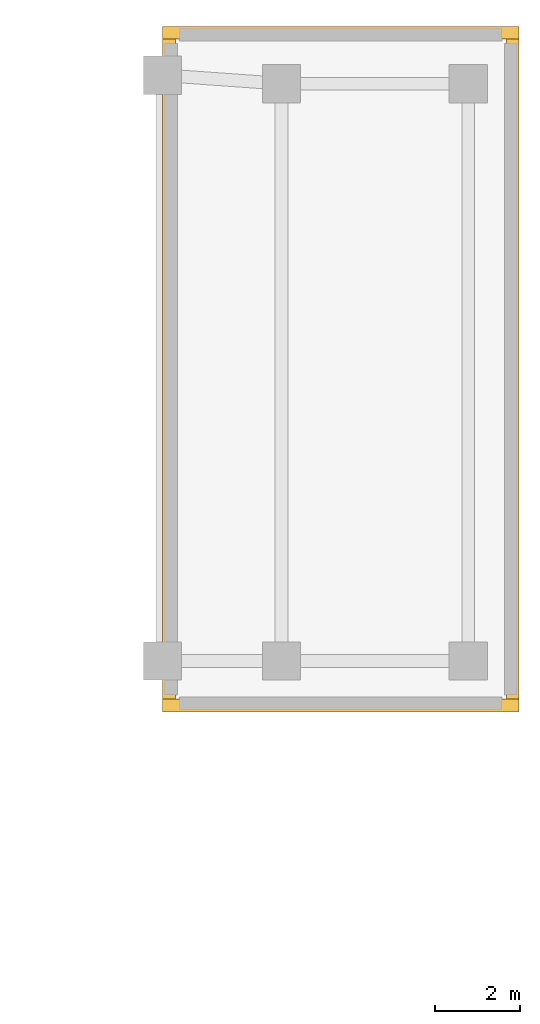
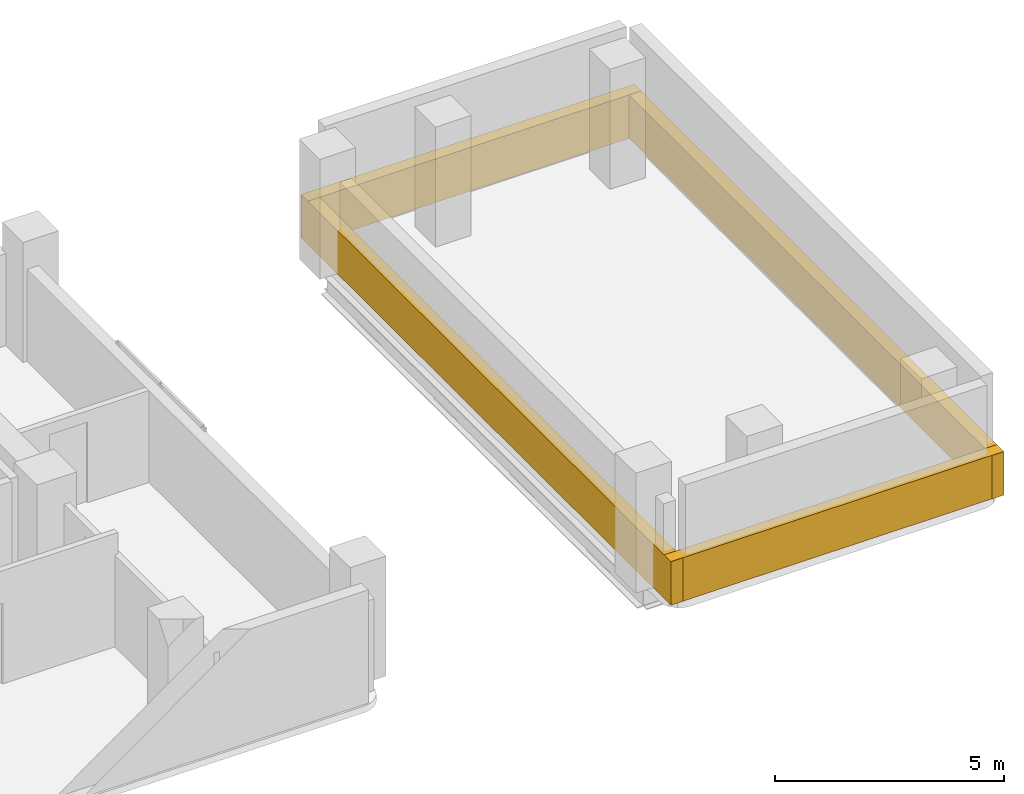
# One storey, part 10 of 10: 4 coverings.
"""IFC4 building model written with IfcOpenShell, lengths in metres."""

from ifc_helpers import new_model, si_unit, direction, frame, origin, origin_2d, place, context, subcontext, project, spatial, rectangle, extrude, material, layer, layer_set, type_object, element, save


model = new_model("IFC4")

# Units and contexts
model_context = context("Model", 3, precision=1e-05, world=origin(), true_north=direction((0.0, 1.0)))
body_context = subcontext(model_context, "Body", "Model", "MODEL_VIEW")
ifc_project = project(units=[si_unit("LENGTHUNIT", "METRE"), si_unit("AREAUNIT", "SQUARE_METRE"), si_unit("VOLUMEUNIT", "CUBIC_METRE"), si_unit("PLANEANGLEUNIT", "RADIAN"), si_unit("MASSUNIT", "GRAM", prefix="KILO")], contexts=[model_context])

# Site, building, storey
site_placement = place(None, origin())
site = spatial("IfcSite", under=ifc_project, at=site_placement, CompositionType="ELEMENT")
building_placement = place(site_placement, origin())
building = spatial("IfcBuilding", under=site, at=building_placement, Name="Kuzgunbayir Cultural Tower", CompositionType="ELEMENT")
storey_placement = place(building_placement, frame((0.0, 0.0, 163.199951171875)))
storey = spatial("IfcBuildingStorey", under=building, at=storey_placement, Name="L47", CompositionType="ELEMENT", Elevation=163.199951171875)

# Coverings
ifc_material = material(Name="Anatolian Cream Limestone", Category="masonry")
ifc_layer = layer(ifc_material, 0.06005859375)
ifc_layer_set = layer_set([ifc_layer], Name="Anatolian Cream Limestone")
covering_type = type_object("IfcCoveringType", Name="COV-CLAD-LIMESTONE-6", PredefinedType="CLADDING", material=ifc_layer_set)
for number, where, z_axis, x_axis, name in (
    (1, (38.550048828125, 34.469970703125, -0.02001953125), (0.0, 0.0, 1.0), (1.0, 0.0, 0.0), "L47 Portal Cap West Coping Fascia"),
    (2, (46.64990234375, 34.469970703125, -0.02001953125), (0.0, 0.0, 1.0), (1.0, 0.0, 0.0), "L47 Portal Cap East Coping Fascia"),
):
    element("IfcCovering", number, at=place(storey_placement, frame(where, z_axis=z_axis, x_axis=x_axis)), inside=storey, type_object=covering_type, Name=name, PredefinedType="CLADDING", context=body_context, shape_type="SweptSolid", body=[
        extrude(rectangle(XDim=0.300048828125, YDim=16.14990234375, at=origin_2d()), origin(), (0.0, 0.0, 1.0), 1.159912109375),
    ])
for number, where, z_axis, x_axis, name in (
    (3, (42.60009765625, 26.550048828125, -0.02001953125), (0.0, 0.0, 1.0), (1.0, 0.0, 0.0), "L47 Portal Cap South Coping Fascia"),
    (4, (42.60009765625, 42.39990234375, -0.02001953125), (0.0, 0.0, 1.0), (1.0, 0.0, 0.0), "L47 Portal Cap North Coping Fascia"),
):
    element("IfcCovering", number, at=place(storey_placement, frame(where, z_axis=z_axis, x_axis=x_axis)), inside=storey, type_object=covering_type, Name=name, PredefinedType="CLADDING", context=body_context, shape_type="SweptSolid", body=[
        extrude(rectangle(XDim=8.39990234375, YDim=0.300048828125, at=origin_2d()), origin(), (0.0, 0.0, 1.0), 1.159912109375),
    ])

save(model, "model.ifc")
